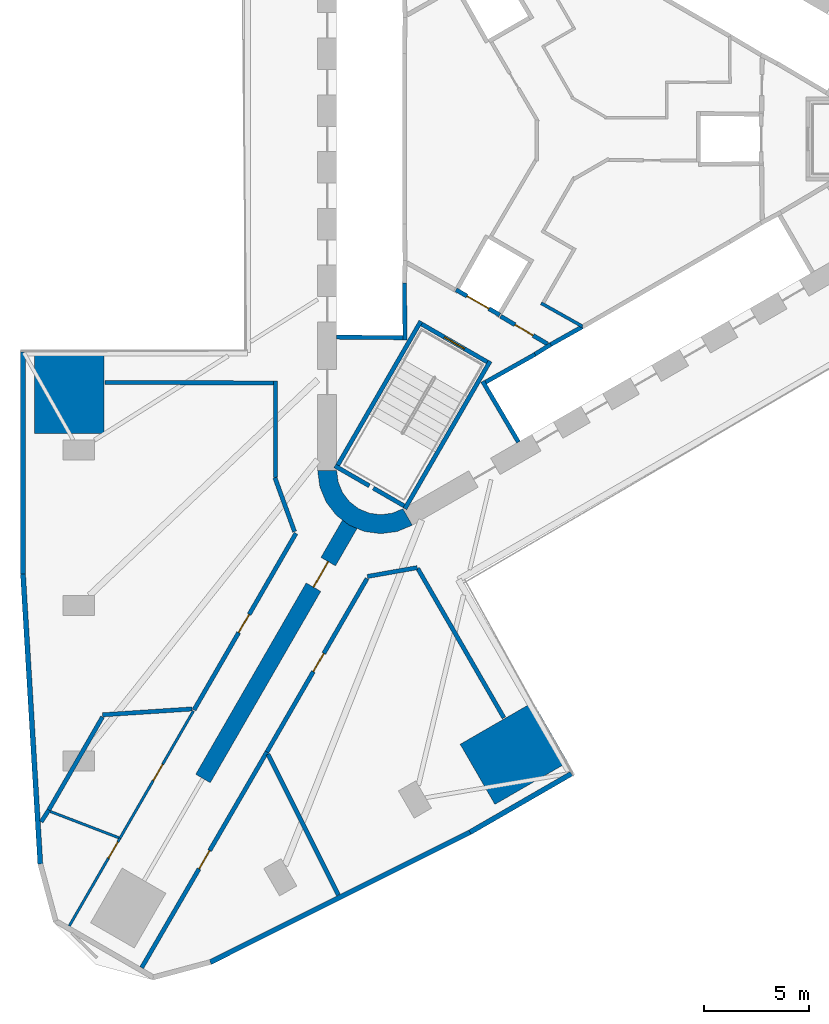
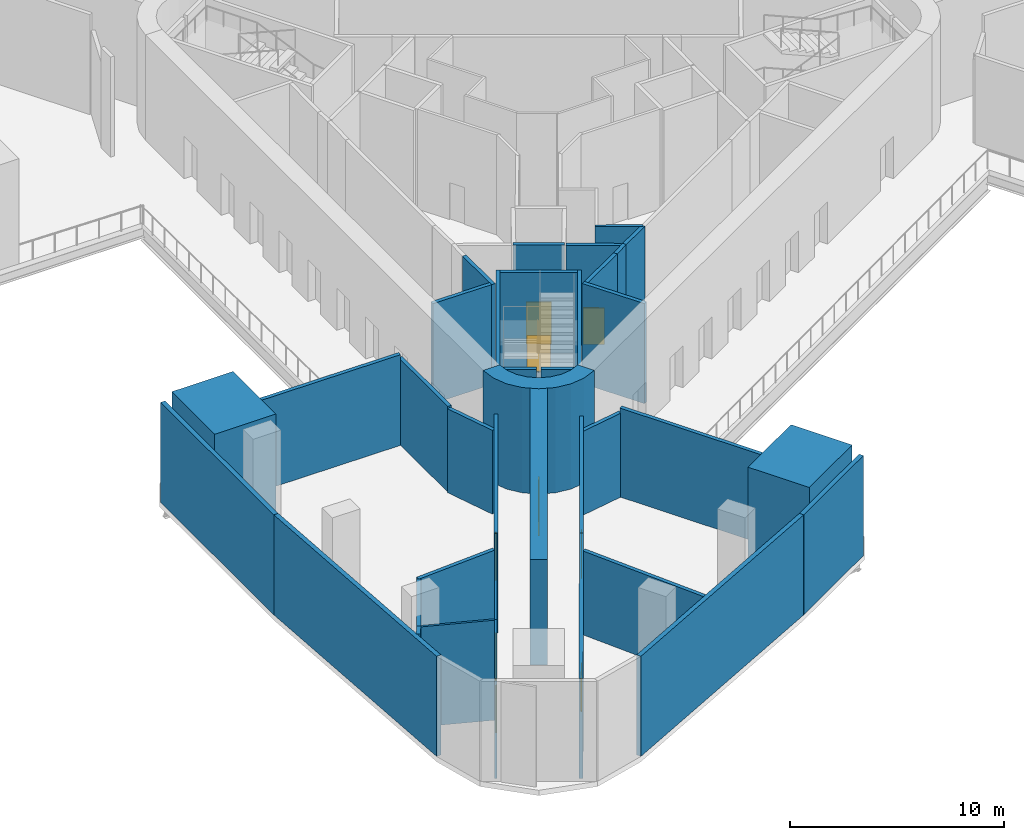
# One storey, part 3 of 11: 37 walls, 9 doors, 9 openings.
"""IFC4 building model written with IfcOpenShell, lengths in metres."""

from ifc_helpers import new_model, si_unit, direction, frame, frame_2d, origin, place, context, subcontext, project, spatial, polyline, rectangle, outline, extrude, material, layer, layer_set, type_object, element, fill, save


model = new_model("IFC4")

# Units and contexts
model_context = context("Model", 3, precision=1e-05, world=origin(), true_north=direction((0.0, 1.0)))
body_context = subcontext(model_context, "Body", "Model", "MODEL_VIEW")
ifc_project = project(units=[si_unit("LENGTHUNIT", "METRE"), si_unit("AREAUNIT", "SQUARE_METRE"), si_unit("VOLUMEUNIT", "CUBIC_METRE"), si_unit("PLANEANGLEUNIT", "RADIAN"), si_unit("MASSUNIT", "GRAM", prefix="KILO")], contexts=[model_context])

# Site, building, storey
site_placement = place(None, origin())
site = spatial("IfcSite", under=ifc_project, at=site_placement, CompositionType="ELEMENT")
building_placement = place(site_placement, origin())
building = spatial("IfcBuilding", under=site, at=building_placement, Name="Tanit Gate Tower", CompositionType="ELEMENT")
storey_placement = place(building_placement, frame((0.0, 0.0, 21.5)))
storey = spatial("IfcBuildingStorey", under=building, at=storey_placement, Name="L03", CompositionType="ELEMENT", Elevation=21.5)

# Wall, opening, door
ifc_material_1 = material(Name="Concrete C60/75", Category="concrete")
ifc_layer_1 = layer(ifc_material_1, 0.800048828125)
ifc_layer_set_1 = layer_set([ifc_layer_1], Name="BUTTRESS FIN 800 C60/75")
wall_type_1 = type_object("IfcWallType", Name="BUTTRESS FIN 800 C60/75", PredefinedType="SHEAR", material=ifc_layer_set_1)
wall_1_placement = place(storey_placement, frame((-10.574951171875, -18.31640625, 0.0), z_axis=(0.0, 0.0, 1.0), x_axis=(-0.499996575515, -0.866027380903, 0.0)))
wall_1 = element("IfcWall", 1, at=wall_1_placement, inside=storey, type_object=wall_type_1, Name="BUTTRESS FIN", PredefinedType="SHEAR", context=body_context, shape_type="SweptSolid", body=[
    extrude(rectangle(XDim=13.9541015625, YDim=0.800048828125, at=frame_2d((6.97705078125, 0.0))), origin(), (0.0, 0.0, 1.0), 6.0),
])
opening_1_placement = place(wall_1_placement, frame((2.050048828125, 0.0, 0.0)))
opening_1 = element("IfcOpeningElement", 2, at=opening_1_placement, cuts=wall_1, Name="Opening P14-03-F-SW-1", PredefinedType="OPENING", context=body_context, shape_type="SweptSolid", body=[
    extrude(rectangle(XDim=1.39990234375, YDim=2.39990234375, at=frame_2d((0.699951171875, 1.199951171875))), frame((0.0, 0.41015625, 0.0), z_axis=(0.0, -1.0, 0.0), x_axis=(1.0, 0.0, 0.0)), (0.0, 0.0, 1.0), 0.820068359375),
])
ifc_material_2 = material(Name="Timber door leaf", Category="wood")
door_type_1 = type_object("IfcDoorType", Name="INT-DOOR-FIN-PAIR-1400", OperationType="NOTDEFINED", PredefinedType="NOTDEFINED", material=ifc_material_2)
door_1_placement = place(opening_1_placement, origin())
door_1 = element("IfcDoor", 3, at=door_1_placement, inside=storey, type_object=door_type_1, Name="Door P14-03-F-SW-1", OperationType="DOUBLE_DOOR_SINGLE_SWING", OverallHeight=2.39990234375, OverallWidth=1.39990234375, PredefinedType="NOTDEFINED", context=body_context, shape_type="SweptSolid", body=[
    extrude(rectangle(XDim=1.39990234375, YDim=2.39990234375, at=frame_2d((0.699951171875, 1.199951171875))), frame((0.0, 0.02490234375, 0.0), z_axis=(0.0, -1.0, 0.0), x_axis=(1.0, 0.0, 0.0)), (0.0, 0.0, 1.0), 0.050048828125),
])
fill(opening_1, door_1)

# Walls
ifc_material_3 = material(Name="Concrete C60/75", Category="concrete")
ifc_layer_2 = layer(ifc_material_3, 0.89990234375)
ifc_layer_set_2 = layer_set([ifc_layer_2], Name="CORE WALL 900 C60/75")
wall_type_2 = type_object("IfcWallType", Name="CORE WALL 900 C60/75", PredefinedType="SHEAR", material=ifc_layer_set_2)
wall_2_placement = place(storey_placement, origin())
element("IfcWall", 4, at=wall_2_placement, inside=storey, type_object=wall_type_2, Name="CORE WALL CORNER", PredefinedType="SHEAR", context=body_context, shape_type="SweptSolid", body=[
    extrude(outline(polyline([(-12.10009765625, -15.76171875), (-11.997802734375, -16.5380859375), (-11.697998046875, -17.26171875), (-11.22119140625, -17.883056640625), (-10.60009765625, -18.359619140625), (-9.87646484375, -18.659423828125), (-9.10009765625, -18.76171875), (-8.323486328125, -18.659423828125), (-7.60009765625, -18.359619140625), (-8.050048828125, -17.580322265625), (-8.556396484375, -17.7900390625), (-9.10009765625, -17.86181640625), (-9.6435546875, -17.7900390625), (-10.14990234375, -17.580322265625), (-10.5849609375, -17.24658203125), (-10.918701171875, -16.811767578125), (-11.12841796875, -16.30517578125), (-11.199951171875, -15.76171875), (-12.10009765625, -15.76171875)])), origin(), (0.0, 0.0, 1.0), 6.0),
])
ifc_material_4 = material(Name="Concrete C30/37 with bronze anodised aluminium cladding", Category="concrete")
ifc_layer_3 = layer(ifc_material_4, 0.239990234375)
ifc_layer_set_3 = layer_set([ifc_layer_3], Name="Facade wall bronze clad 240")
wall_type_3 = type_object("IfcWallType", Name="Facade wall bronze clad 240", PredefinedType="SOLIDWALL", material=ifc_layer_set_3)
wall_3_placement = place(storey_placement, frame((-26.107666015625, -10.119384765625, 0.0), z_axis=(0.0, 0.0, 1.0), x_axis=(6.9319284e-05, -0.999999997597, 0.0)))
element("IfcWall", 5, at=wall_3_placement, inside=storey, type_object=wall_type_3, Name="Bronze-clad facade wall L03 W2b", PredefinedType="SOLIDWALL", context=body_context, shape_type="SweptSolid", body=[
    extrude(rectangle(XDim=10.56591796875, YDim=0.239990234375, at=frame_2d((5.282958984375, 0.0))), origin(), (0.0, 0.0, 1.0), 5.699951171875),
])
wall_4_placement = place(storey_placement, frame((-26.10693359375, -20.685302734375, 0.0), z_axis=(0.0, 0.0, 1.0), x_axis=(0.059596169304, -0.998222568671, 0.0)))
element("IfcWall", 6, at=wall_4_placement, inside=storey, type_object=wall_type_3, Name="Bronze-clad facade wall L03 W3", PredefinedType="SOLIDWALL", context=body_context, shape_type="SweptSolid", body=[
    extrude(rectangle(XDim=13.80126953125, YDim=0.239990234375, at=frame_2d((6.900634765625, 0.0))), origin(), (0.0, 0.0, 1.0), 5.699951171875),
])
wall_5_placement = place(storey_placement, frame((-17.202880859375, -39.1279296875, 0.0), z_axis=(0.0, 0.0, 1.0), x_axis=(0.894377655106, 0.447312653573, 0.0)))
element("IfcWall", 7, at=wall_5_placement, inside=storey, type_object=wall_type_3, Name="Bronze-clad facade wall L03 SE1", PredefinedType="SOLIDWALL", context=body_context, shape_type="SweptSolid", body=[
    extrude(rectangle(XDim=13.801513671875, YDim=0.239990234375, at=frame_2d((6.90087890625, 0.0))), origin(), (0.0, 0.0, 1.0), 5.699951171875),
])
wall_6_placement = place(storey_placement, frame((-4.859130859375, -32.954345703125, 0.0), z_axis=(0.0, 0.0, 1.0), x_axis=(0.865999312459, 0.500045188778, 0.0)))
element("IfcWall", 8, at=wall_6_placement, inside=storey, type_object=wall_type_3, Name="Bronze-clad facade wall L03 SE2a", PredefinedType="SOLIDWALL", context=body_context, shape_type="SweptSolid", body=[
    extrude(rectangle(XDim=5.56591796875, YDim=0.239990234375, at=frame_2d((2.782958984375, 0.0))), origin(), (0.0, 0.0, 1.0), 5.699951171875),
])

# Wall, opening, door
ifc_material_5 = material(Name="Fire-rated gypsum board partition")
ifc_layer_4 = layer(ifc_material_5, 0.199951171875)
ifc_layer_set_4 = layer_set([ifc_layer_4], Name="INT-WALL-COMPARTMENT")
wall_type_4 = type_object("IfcWallType", Name="INT-WALL-COMPARTMENT", PredefinedType="PARTITIONING", material=ifc_layer_set_4)
wall_7_placement = place(storey_placement, frame((-3.400634765625, -8.43017578125, 0.0), z_axis=(0.0, 0.0, 1.0), x_axis=(0.860598681535, -0.509283721849, 0.0)))
wall_7 = element("IfcWall", 9, at=wall_7_placement, inside=storey, type_object=wall_type_4, Name="Wall Compartment W067", PredefinedType="PARTITIONING", context=body_context, shape_type="SweptSolid", body=[
    extrude(rectangle(XDim=2.5810546875, YDim=0.199951171875, at=frame_2d((1.29052734375, 0.0))), origin(), (0.0, 0.0, 1.0), 5.699951171875),
])
opening_2_placement = place(wall_7_placement, frame((0.79052734375, 0.0, 0.0)))
opening_2 = element("IfcOpeningElement", 10, at=opening_2_placement, cuts=wall_7, Name="Opening F10-03-08", PredefinedType="OPENING", context=body_context, shape_type="SweptSolid", body=[
    extrude(rectangle(XDim=1.0, YDim=2.10009765625, at=frame_2d((0.5, 1.050048828125))), frame((0.0, 0.10986328125, 0.0), z_axis=(0.0, -1.0, 0.0), x_axis=(1.0, 0.0, 0.0)), (0.0, 0.0, 1.0), 0.219970703125),
])
ifc_material_6 = material(Name="Fire-rated steel door leaf", Category="steel")
door_type_2 = type_object("IfcDoorType", Name="INT-DOOR-FIRE-1000", OperationType="NOTDEFINED", PredefinedType="USERDEFINED", material=ifc_material_6)
door_2_placement = place(opening_2_placement, origin())
door_2 = element("IfcDoor", 11, at=door_2_placement, inside=storey, type_object=door_type_2, Name="Door F10-03-08", ObjectType="FIRE DOOR", OperationType="SINGLE_SWING_LEFT", OverallHeight=2.10009765625, OverallWidth=1.0, PredefinedType="USERDEFINED", context=body_context, shape_type="SweptSolid", body=[
    extrude(rectangle(XDim=1.0, YDim=2.10009765625, at=frame_2d((0.5, 1.050048828125))), frame((0.0, 0.02490234375, 0.0), z_axis=(0.0, -1.0, 0.0), x_axis=(1.0, 0.0, 0.0)), (0.0, 0.0, 1.0), 0.050048828125),
])
fill(opening_2, door_2)

# Wall
wall_8_placement = place(storey_placement, frame((-14.10009765625, -11.50146484375, 0.0), z_axis=(0.0, 0.0, 1.0), x_axis=(0.0, -1.0, 0.0)))
element("IfcWall", 12, at=wall_8_placement, inside=storey, type_object=wall_type_4, Name="Wall Compartment W091", PredefinedType="PARTITIONING", context=body_context, shape_type="SweptSolid", body=[
    extrude(rectangle(XDim=4.59228515625, YDim=0.199951171875, at=frame_2d((2.296142578125, 0.0))), origin(), (0.0, 0.0, 1.0), 4.8798828125),
])

# Wall, opening, door
wall_9_placement = place(storey_placement, frame((-17.98046875, -27.14306640625, 0.0), z_axis=(0.0, 0.0, 1.0), x_axis=(0.499987665054, 0.866032525252, 0.0)))
wall_9 = element("IfcWall", 13, at=wall_9_placement, inside=storey, type_object=wall_type_4, Name="Wall Compartment W089", PredefinedType="PARTITIONING", context=body_context, shape_type="SweptSolid", body=[
    extrude(rectangle(XDim=9.695068359375, YDim=0.199951171875, at=frame_2d((4.84765625, 0.0))), origin(), (0.0, 0.0, 1.0), 5.699951171875),
])
opening_3_placement = place(wall_9_placement, frame((4.248779296875, 0.0, 0.0)))
opening_3 = element("IfcOpeningElement", 14, at=opening_3_placement, cuts=wall_9, Name="Opening F10-03-15", PredefinedType="OPENING", context=body_context, shape_type="SweptSolid", body=[
    extrude(rectangle(XDim=1.0, YDim=2.10009765625, at=frame_2d((0.5, 1.050048828125))), frame((0.0, 0.10986328125, 0.0), z_axis=(0.0, -1.0, 0.0), x_axis=(1.0, 0.0, 0.0)), (0.0, 0.0, 1.0), 0.219970703125),
])
door_3_placement = place(opening_3_placement, origin())
door_3 = element("IfcDoor", 15, at=door_3_placement, inside=storey, type_object=door_type_2, Name="Door F10-03-15", ObjectType="FIRE DOOR", OperationType="SINGLE_SWING_RIGHT", OverallHeight=2.10009765625, OverallWidth=1.0, PredefinedType="USERDEFINED", context=body_context, shape_type="SweptSolid", body=[
    extrude(rectangle(XDim=1.0, YDim=2.10009765625, at=frame_2d((0.5, 1.050048828125))), frame((0.0, 0.02490234375, 0.0), z_axis=(0.0, -1.0, 0.0), x_axis=(1.0, 0.0, 0.0)), (0.0, 0.0, 1.0), 0.050048828125),
])
fill(opening_3, door_3)

# Walls
wall_10_placement = place(storey_placement, frame((-14.13427734375, -16.099609375, 0.0), z_axis=(0.0, 0.0, 1.0), x_axis=(0.341951326322, -0.939717665273, 0.0)))
element("IfcWall", 16, at=wall_10_placement, inside=storey, type_object=wall_type_4, Name="Wall Compartment W090", PredefinedType="PARTITIONING", context=body_context, shape_type="SweptSolid", body=[
    extrude(rectangle(XDim=2.7294921875, YDim=0.199951171875, at=frame_2d((1.36474609375, 0.0))), origin(), (0.0, 0.0, 1.0), 4.780029296875),
])
wall_11_placement = place(storey_placement, frame((-22.203369140625, -11.570068359375, 0.0), z_axis=(0.0, 0.0, 1.0), x_axis=(0.999992495389, -0.003874166344, 0.0)))
element("IfcWall", 17, at=wall_11_placement, inside=storey, type_object=wall_type_4, Name="Wall Compartment W092", PredefinedType="PARTITIONING", context=body_context, shape_type="SweptSolid", body=[
    extrude(rectangle(XDim=8.003173828125, YDim=0.199951171875, at=frame_2d((4.00146484375, 0.0))), origin(), (0.0, 0.0, 1.0), 5.169921875),
])
wall_12_placement = place(storey_placement, frame((-22.3212890625, -27.37255859375, 0.0), z_axis=(0.0, 0.0, 1.0), x_axis=(0.997859032733, 0.065401458642, 0.0)))
element("IfcWall", 18, at=wall_12_placement, inside=storey, type_object=wall_type_4, Name="Wall Compartment W096", PredefinedType="PARTITIONING", context=body_context, shape_type="SweptSolid", body=[
    extrude(rectangle(XDim=4.262939453125, YDim=0.199951171875, at=frame_2d((2.13134765625, 0.0))), origin(), (0.0, 0.0, 1.0), 4.780029296875),
])
wall_13_placement = place(storey_placement, frame((-24.932373046875, -31.984130859375, 0.0), z_axis=(0.0, 0.0, 1.0), x_axis=(0.500010513267, 0.866019333862, 0.0)))
element("IfcWall", 19, at=wall_13_placement, inside=storey, type_object=wall_type_4, Name="Wall Compartment W097", PredefinedType="PARTITIONING", context=body_context, shape_type="SweptSolid", body=[
    extrude(rectangle(XDim=5.208984375, YDim=0.199951171875, at=frame_2d((2.6044921875, 0.0))), origin(), (0.0, 0.0, 1.0), 4.780029296875),
])
wall_14_placement = place(storey_placement, frame((-25.24072265625, -32.458251953125, 0.0), z_axis=(0.0, 0.0, 1.0), x_axis=(0.540924282728, 0.841071293266, 0.0)))
element("IfcWall", 20, at=wall_14_placement, inside=storey, type_object=wall_type_4, Name="Wall Compartment W098", PredefinedType="PARTITIONING", context=body_context, shape_type="SweptSolid", body=[
    extrude(rectangle(XDim=0.666259765625, YDim=0.199951171875, at=frame_2d((0.3330078125, 0.0))), origin(), (0.0, 0.0, 1.0), 5.699951171875),
])

# Wall, opening, door
wall_15_placement = place(storey_placement, frame((-14.51416015625, -29.138916015625, 0.0), z_axis=(0.0, 0.0, 1.0), x_axis=(-0.502061989067, -0.864831636294, 0.0)))
wall_15 = element("IfcWall", 21, at=wall_15_placement, inside=storey, type_object=wall_type_4, Name="Wall Compartment W112", PredefinedType="PARTITIONING", context=body_context, shape_type="SweptSolid", body=[
    extrude(rectangle(XDim=11.85546875, YDim=0.199951171875, at=frame_2d((5.927734375, 0.0))), origin(), (0.0, 0.0, 1.0), 5.699951171875),
])
opening_4_placement = place(wall_15_placement, frame((5.42138671875, 0.0, 0.0)))
opening_4 = element("IfcOpeningElement", 22, at=opening_4_placement, cuts=wall_15, Name="Opening F10-03-21", PredefinedType="OPENING", context=body_context, shape_type="SweptSolid", body=[
    extrude(rectangle(XDim=1.0, YDim=2.10009765625, at=frame_2d((0.5, 1.050048828125))), frame((0.0, 0.10986328125, 0.0), z_axis=(0.0, -1.0, 0.0), x_axis=(1.0, 0.0, 0.0)), (0.0, 0.0, 1.0), 0.219970703125),
])
door_4_placement = place(opening_4_placement, origin())
door_4 = element("IfcDoor", 23, at=door_4_placement, inside=storey, type_object=door_type_2, Name="Door F10-03-21", ObjectType="FIRE DOOR", OperationType="SINGLE_SWING_RIGHT", OverallHeight=2.10009765625, OverallWidth=1.0, PredefinedType="USERDEFINED", context=body_context, shape_type="SweptSolid", body=[
    extrude(rectangle(XDim=1.0, YDim=2.10009765625, at=frame_2d((0.5, 1.050048828125))), frame((0.0, 0.02490234375, 0.0), z_axis=(0.0, -1.0, 0.0), x_axis=(1.0, 0.0, 0.0)), (0.0, 0.0, 1.0), 0.050048828125),
])
fill(opening_4, door_4)

# Wall
wall_16_placement = place(storey_placement, frame((-9.738037109375, -20.795654296875, 0.0), z_axis=(0.0, 0.0, 1.0), x_axis=(0.984780494406, 0.173802698013, 0.0)))
element("IfcWall", 24, at=wall_16_placement, inside=storey, type_object=wall_type_4, Name="Wall Compartment W113", PredefinedType="PARTITIONING", context=body_context, shape_type="SweptSolid", body=[
    extrude(rectangle(XDim=2.40625, YDim=0.199951171875, at=frame_2d((1.203125, 0.0))), origin(), (0.0, 0.0, 1.0), 4.780029296875),
])

# Wall, opening, door
wall_17_placement = place(storey_placement, frame((-9.757568359375, -20.900634765625, 0.0), z_axis=(0.0, 0.0, 1.0), x_axis=(-0.499997931106, -0.866026598257, 0.0)))
wall_17 = element("IfcWall", 25, at=wall_17_placement, inside=storey, type_object=wall_type_4, Name="Wall Compartment W114", PredefinedType="PARTITIONING", context=body_context, shape_type="SweptSolid", body=[
    extrude(rectangle(XDim=9.5126953125, YDim=0.199951171875, at=frame_2d((4.75634765625, 0.0))), origin(), (0.0, 0.0, 1.0), 5.699951171875),
])
opening_5_placement = place(wall_17_placement, frame((4.099609375, 0.0, 0.0)))
opening_5 = element("IfcOpeningElement", 26, at=opening_5_placement, cuts=wall_17, Name="Opening F10-03-22", PredefinedType="OPENING", context=body_context, shape_type="SweptSolid", body=[
    extrude(rectangle(XDim=1.0, YDim=2.10009765625, at=frame_2d((0.5, 1.050048828125))), frame((0.0, 0.10986328125, 0.0), z_axis=(0.0, -1.0, 0.0), x_axis=(1.0, 0.0, 0.0)), (0.0, 0.0, 1.0), 0.219970703125),
])
door_5_placement = place(opening_5_placement, origin())
door_5 = element("IfcDoor", 27, at=door_5_placement, inside=storey, type_object=door_type_2, Name="Door F10-03-22", ObjectType="FIRE DOOR", OperationType="SINGLE_SWING_LEFT", OverallHeight=2.10009765625, OverallWidth=1.0, PredefinedType="USERDEFINED", context=body_context, shape_type="SweptSolid", body=[
    extrude(rectangle(XDim=1.0, YDim=2.10009765625, at=frame_2d((0.5, 1.050048828125))), frame((0.0, 0.02490234375, 0.0), z_axis=(0.0, -1.0, 0.0), x_axis=(1.0, 0.0, 0.0)), (0.0, 0.0, 1.0), 0.050048828125),
])
fill(opening_5, door_5)

# Walls
wall_18_placement = place(storey_placement, frame((-7.35009765625, -20.409423828125, 0.0), z_axis=(0.0, 0.0, 1.0), x_axis=(0.500015278874, -0.866016582343, 0.0)))
element("IfcWall", 28, at=wall_18_placement, inside=storey, type_object=wall_type_4, Name="Wall Compartment W115", PredefinedType="PARTITIONING", context=body_context, shape_type="SweptSolid", body=[
    extrude(rectangle(XDim=8.203369140625, YDim=0.199951171875, at=frame_2d((4.1015625, 0.0))), origin(), (0.0, 0.0, 1.0), 5.070068359375),
])
wall_19_placement = place(storey_placement, frame((-14.4619140625, -29.248291015625, 0.0), z_axis=(0.0, 0.0, 1.0), x_axis=(0.447304919826, -0.894381523009, 0.0)))
element("IfcWall", 29, at=wall_19_placement, inside=storey, type_object=wall_type_4, Name="Wall Compartment W120", PredefinedType="PARTITIONING", context=body_context, shape_type="SweptSolid", body=[
    extrude(rectangle(XDim=7.485107421875, YDim=0.199951171875, at=frame_2d((3.74267578125, 0.0))), origin(), (0.0, 0.0, 1.0), 4.780029296875),
])

# Wall, opening, door
ifc_material_7 = material(Name="Gypsum board partition")
ifc_layer_5 = layer(ifc_material_7, 0.1201171875)
ifc_layer_set_5 = layer_set([ifc_layer_5], Name="INT-WALL-PARTITION")
wall_type_5 = type_object("IfcWallType", Name="INT-WALL-PARTITION", PredefinedType="PARTITIONING", material=ifc_layer_set_5)
wall_20_placement = place(storey_placement, frame((-23.90576171875, -37.406005859375, 0.0), z_axis=(0.0, 0.0, 1.0), x_axis=(0.500013369766, 0.866017684609, 0.0)))
wall_20 = element("IfcWall", 30, at=wall_20_placement, inside=storey, type_object=wall_type_5, Name="Wall Partition W095", PredefinedType="PARTITIONING", context=body_context, shape_type="SweptSolid", body=[
    extrude(rectangle(XDim=4.818603515625, YDim=0.1201171875, at=frame_2d((2.4091796875, 0.0))), origin(), (0.0, 0.0, 1.0), 5.699951171875),
])
opening_6_placement = place(wall_20_placement, frame((3.713623046875, 0.0, 0.0)))
opening_6 = element("IfcOpeningElement", 31, at=opening_6_placement, cuts=wall_20, Name="Opening D09-03-25", PredefinedType="OPENING", context=body_context, shape_type="SweptSolid", body=[
    extrude(rectangle(XDim=0.89990234375, YDim=2.10009765625, at=frame_2d((0.449951171875, 1.050048828125))), frame((0.0, 0.070068359375, 0.0), z_axis=(0.0, -1.0, 0.0), x_axis=(1.0, 0.0, 0.0)), (0.0, 0.0, 1.0), 0.14013671875),
])
ifc_material_8 = material(Name="Timber door leaf", Category="wood")
door_type_3 = type_object("IfcDoorType", Name="INT-DOOR-SINGLE-900", OperationType="NOTDEFINED", PredefinedType="NOTDEFINED", material=ifc_material_8)
door_6_placement = place(opening_6_placement, origin())
door_6 = element("IfcDoor", 32, at=door_6_placement, inside=storey, type_object=door_type_3, Name="Door D09-03-25", OperationType="SINGLE_SWING_LEFT", OverallHeight=2.10009765625, OverallWidth=0.89990234375, PredefinedType="NOTDEFINED", context=body_context, shape_type="SweptSolid", body=[
    extrude(rectangle(XDim=0.89990234375, YDim=2.10009765625, at=frame_2d((0.449951171875, 1.050048828125))), frame((0.0, 0.02490234375, 0.0), z_axis=(0.0, -1.0, 0.0), x_axis=(1.0, 0.0, 0.0)), (0.0, 0.0, 1.0), 0.050048828125),
])
fill(opening_6, door_6)

wall_21_placement = place(storey_placement, frame((-21.496337890625, -33.23291015625, 0.0), z_axis=(0.0, 0.0, 1.0), x_axis=(0.500000091514, 0.866025350949, 0.0)))
wall_21 = element("IfcWall", 33, at=wall_21_placement, inside=storey, type_object=wall_type_5, Name="Wall Partition W093", PredefinedType="PARTITIONING", context=body_context, shape_type="SweptSolid", body=[
    extrude(rectangle(XDim=6.9775390625, YDim=0.1201171875, at=frame_2d((3.48876953125, 0.0))), origin(), (0.0, 0.0, 1.0), 5.699951171875),
])
opening_7_placement = place(wall_21_placement, frame((3.148193359375, 0.0, 0.0)))
opening_7 = element("IfcOpeningElement", 34, at=opening_7_placement, cuts=wall_21, Name="Opening D09-03-16", PredefinedType="OPENING", context=body_context, shape_type="SweptSolid", body=[
    extrude(rectangle(XDim=0.89990234375, YDim=2.10009765625, at=frame_2d((0.449951171875, 1.050048828125))), frame((0.0, 0.070068359375, 0.0), z_axis=(0.0, -1.0, 0.0), x_axis=(1.0, 0.0, 0.0)), (0.0, 0.0, 1.0), 0.14013671875),
])
door_7_placement = place(opening_7_placement, origin())
door_7 = element("IfcDoor", 35, at=door_7_placement, inside=storey, type_object=door_type_3, Name="Door D09-03-16", OperationType="SINGLE_SWING_RIGHT", OverallHeight=2.10009765625, OverallWidth=0.89990234375, PredefinedType="NOTDEFINED", context=body_context, shape_type="SweptSolid", body=[
    extrude(rectangle(XDim=0.89990234375, YDim=2.10009765625, at=frame_2d((0.449951171875, 1.050048828125))), frame((0.0, 0.02490234375, 0.0), z_axis=(0.0, -1.0, 0.0), x_axis=(1.0, 0.0, 0.0)), (0.0, 0.0, 1.0), 0.050048828125),
])
fill(opening_7, door_7)

# Walls
wall_22_placement = place(storey_placement, frame((-24.8076171875, -31.96826171875, 0.0), z_axis=(0.0, 0.0, 1.0), x_axis=(0.933675816779, -0.358119350445, 0.0)))
element("IfcWall", 36, at=wall_22_placement, inside=storey, type_object=wall_type_5, Name="Wall Partition W099", PredefinedType="PARTITIONING", context=body_context, shape_type="SweptSolid", body=[
    extrude(rectangle(XDim=3.48291015625, YDim=0.1201171875, at=frame_2d((1.741455078125, 0.0))), origin(), (0.0, 0.0, 1.0), 5.699951171875),
])
ifc_material_9 = material(Name="Fire-rated gypsum board partition")
ifc_layer_6 = layer(ifc_material_9, 0.14990234375)
ifc_layer_set_6 = layer_set([ifc_layer_6], Name="INT-WALL-RISER")
wall_type_6 = type_object("IfcWallType", Name="INT-WALL-RISER", PredefinedType="PLUMBINGWALL", material=ifc_layer_set_6)
wall_23_placement = place(storey_placement, frame((-1.47705078125, -7.808349609375, 0.0), z_axis=(0.0, 0.0, 1.0), x_axis=(0.871822901869, -0.48982122022, 0.0)))
element("IfcWall", 37, at=wall_23_placement, inside=storey, type_object=wall_type_6, Name="Wall Riser W071", PredefinedType="PLUMBINGWALL", context=body_context, shape_type="SweptSolid", body=[
    extrude(rectangle(XDim=2.239501953125, YDim=0.14990234375, at=frame_2d((1.11962890625, 0.0))), origin(), (0.0, 0.0, 1.0), 5.699951171875),
])
ifc_material_10 = material(Name="Gypsum shaft wall system")
ifc_layer_7 = layer(ifc_material_10, 0.199951171875)
ifc_layer_set_7 = layer_set([ifc_layer_7], Name="INT-WALL-SHAFT")
wall_type_7 = type_object("IfcWallType", Name="INT-WALL-SHAFT", PredefinedType="PLUMBINGWALL", material=ifc_layer_set_7)
wall_24_placement = place(storey_placement, frame((-7.97900390625, -6.85009765625, 0.0), z_axis=(0.0, 0.0, 1.0), x_axis=(0.011121475088, -0.999938154483, 0.0)))
element("IfcWall", 38, at=wall_24_placement, inside=storey, type_object=wall_type_7, Name="Wall Shaft W011", PredefinedType="PLUMBINGWALL", context=body_context, shape_type="SweptSolid", body=[
    extrude(rectangle(XDim=2.7001953125, YDim=0.199951171875, at=frame_2d((1.35009765625, 0.0))), origin(), (0.0, 0.0, 1.0), 5.699951171875),
])
wall_25_placement = place(storey_placement, frame((-8.050048828125, -9.448974609375, 0.0), z_axis=(0.0, 0.0, 1.0), x_axis=(-0.999957467379, 0.009222983926, 0.0)))
element("IfcWall", 39, at=wall_25_placement, inside=storey, type_object=wall_type_7, Name="Wall Shaft W012", PredefinedType="PLUMBINGWALL", context=body_context, shape_type="SweptSolid", body=[
    extrude(rectangle(XDim=3.150146484375, YDim=0.199951171875, at=frame_2d((1.5751953125, 0.0))), origin(), (0.0, 0.0, 1.0), 5.699951171875),
])
wall_26_placement = place(storey_placement, frame((-2.557861328125, -14.409423828125, 0.0), z_axis=(0.0, 0.0, 1.0), x_axis=(-0.507997497166, 0.861358544901, 0.0)))
element("IfcWall", 40, at=wall_26_placement, inside=storey, type_object=wall_type_7, Name="Wall Shaft W027", PredefinedType="PLUMBINGWALL", context=body_context, shape_type="SweptSolid", body=[
    extrude(rectangle(XDim=3.350341796875, YDim=0.199951171875, at=frame_2d((1.67529296875, 0.0))), origin(), (0.0, 0.0, 1.0), 5.699951171875),
])
wall_27_placement = place(storey_placement, frame((-1.7685546875, -10.23681640625, 0.0), z_axis=(0.0, 0.0, 1.0), x_axis=(-0.871534483978, -0.490334215854, 0.0)))
element("IfcWall", 41, at=wall_27_placement, inside=storey, type_object=wall_type_7, Name="Wall Shaft W028", PredefinedType="PLUMBINGWALL", context=body_context, shape_type="SweptSolid", body=[
    extrude(rectangle(XDim=2.7001953125, YDim=0.199951171875, at=frame_2d((1.35009765625, 0.0))), origin(), (0.0, 0.0, 1.0), 5.699951171875),
])
wall_28_placement = place(storey_placement, frame((-1.02392578125, -9.77099609375, 0.0), z_axis=(0.0, 0.0, 1.0), x_axis=(-0.850348075135, -0.526220629693, 0.0)))
element("IfcWall", 42, at=wall_28_placement, inside=storey, type_object=wall_type_7, Name="Wall Shaft W029", PredefinedType="PLUMBINGWALL", context=body_context, shape_type="SweptSolid", body=[
    extrude(rectangle(XDim=0.878173828125, YDim=0.199951171875, at=frame_2d((0.43896484375, 0.0))), origin(), (0.0, 0.0, 1.0), 5.699951171875),
])
wall_29_placement = place(storey_placement, frame((-1.13037109375, -9.83154296875, 0.0), z_axis=(0.0, 0.0, 1.0), x_axis=(0.871988740738, 0.489525929882, 0.0)))
element("IfcWall", 43, at=wall_29_placement, inside=storey, type_object=wall_type_7, Name="Wall Shaft W030", PredefinedType="PLUMBINGWALL", context=body_context, shape_type="SweptSolid", body=[
    extrude(rectangle(XDim=1.8447265625, YDim=0.199951171875, at=frame_2d((0.92236328125, 0.0))), origin(), (0.0, 0.0, 1.0), 5.699951171875),
])

# Wall, opening, door
wall_30_placement = place(storey_placement, frame((-3.44580078125, -8.3681640625, 0.0), z_axis=(0.0, 0.0, 1.0), x_axis=(-0.866024647952, 0.500001309137, 0.0)))
wall_30 = element("IfcWall", 44, at=wall_30_placement, inside=storey, type_object=wall_type_7, Name="Wall Shaft W056", PredefinedType="PLUMBINGWALL", context=body_context, shape_type="SweptSolid", body=[
    extrude(rectangle(XDim=2.39990234375, YDim=0.199951171875, at=frame_2d((1.199951171875, 0.0))), origin(), (0.0, 0.0, 1.0), 5.699951171875),
])
opening_8_placement = place(wall_30_placement, frame((0.60009765625, 0.0, 0.0)))
opening_8 = element("IfcOpeningElement", 45, at=opening_8_placement, cuts=wall_30, Name="Opening LDFL3-L03", PredefinedType="OPENING", context=body_context, shape_type="SweptSolid", body=[
    extrude(rectangle(XDim=1.199951171875, YDim=2.39990234375, at=frame_2d((0.60009765625, 1.199951171875))), frame((0.0, 0.10986328125, 0.0), z_axis=(0.0, -1.0, 0.0), x_axis=(1.0, 0.0, 0.0)), (0.0, 0.0, 1.0), 0.219970703125),
])
ifc_material_11 = material(Name="Stainless steel sliding door leaf", Category="steel")
door_type_4 = type_object("IfcDoorType", Name="INT-DOOR-LANDING-1200", OperationType="NOTDEFINED", PredefinedType="USERDEFINED", material=ifc_material_11)
door_8_placement = place(opening_8_placement, origin())
door_8 = element("IfcDoor", 46, at=door_8_placement, inside=storey, type_object=door_type_4, Name="Door LDFL3-L03", ObjectType="LANDING DOOR", OperationType="SLIDING_TO_LEFT", OverallHeight=2.39990234375, OverallWidth=1.199951171875, PredefinedType="USERDEFINED", context=body_context, shape_type="SweptSolid", body=[
    extrude(rectangle(XDim=1.199951171875, YDim=2.39990234375, at=frame_2d((0.60009765625, 1.199951171875))), frame((0.0, 0.02490234375, 0.0), z_axis=(0.0, -1.0, 0.0), x_axis=(1.0, 0.0, 0.0)), (0.0, 0.0, 1.0), 0.050048828125),
])
fill(opening_8, door_8)

# Walls
ifc_material_12 = material(Name="Concrete C40/50", Category="concrete")
ifc_layer_8 = layer(ifc_material_12, 0.199951171875)
ifc_layer_set_8 = layer_set([ifc_layer_8], Name="INT-WALL-STAIR")
wall_type_8 = type_object("IfcWallType", Name="INT-WALL-STAIR", PredefinedType="SHEAR", material=ifc_layer_set_8)
wall_31_placement = place(storey_placement, frame((-3.904541015625, -10.56298828125, -0.300048828125), z_axis=(0.0, 0.0, 1.0), x_axis=(-0.500012932018, -0.866017937352, 0.0)))
element("IfcWall", 47, at=wall_31_placement, inside=storey, type_object=wall_type_8, Name="Wall Stair W051", PredefinedType="SHEAR", context=body_context, shape_type="SweptSolid", body=[
    extrude(rectangle(XDim=8.099853515625, YDim=0.199951171875, at=frame_2d((4.0498046875, 0.0))), origin(), (0.0, 0.0, 1.0), 6.0),
])
wall_32_placement = place(storey_placement, frame((-11.281982421875, -15.541015625, -0.300048828125), z_axis=(0.0, 0.0, 1.0), x_axis=(0.866000578957, -0.500042995397, 0.0)))
element("IfcWall", 48, at=wall_32_placement, inside=storey, type_object=wall_type_8, Name="Wall Stair W053", PredefinedType="SHEAR", context=body_context, shape_type="SweptSolid", body=[
    extrude(rectangle(XDim=1.889892578125, YDim=0.199951171875, at=frame_2d((0.94482421875, 0.0))), origin(), (0.0, 0.0, 1.0), 6.0),
])
wall_33_placement = place(storey_placement, frame((-9.454833984375, -16.59619140625, -0.300048828125), z_axis=(0.0, 0.0, 1.0), x_axis=(0.866038843867, -0.499976720371, 0.0)))
element("IfcWall", 49, at=wall_33_placement, inside=storey, type_object=wall_type_8, Name="Wall Stair W052", PredefinedType="SHEAR", context=body_context, shape_type="SweptSolid", body=[
    extrude(rectangle(XDim=1.68994140625, YDim=0.199951171875, at=frame_2d((0.844970703125, 0.0))), origin(), (0.0, 0.0, 1.0), 6.0),
])
wall_34_placement = place(storey_placement, frame((-7.195556640625, -8.662841796875, -0.300048828125), z_axis=(0.0, 0.0, 1.0), x_axis=(-0.499997992926, -0.866026562566, 0.0)))
element("IfcWall", 50, at=wall_34_placement, inside=storey, type_object=wall_type_8, Name="Wall Stair W054", PredefinedType="SHEAR", context=body_context, shape_type="SweptSolid", body=[
    extrude(rectangle(XDim=7.89990234375, YDim=0.199951171875, at=frame_2d((3.949951171875, 0.0))), origin(), (0.0, 0.0, 1.0), 6.0),
])

# Wall, opening, door
wall_35_placement = place(storey_placement, frame((-4.041259765625, -10.599365234375, -0.300048828125), z_axis=(0.0, 0.0, 1.0), x_axis=(-0.866047807691, 0.499961193289, 0.0)))
wall_35 = element("IfcWall", 51, at=wall_35_placement, inside=storey, type_object=wall_type_8, Name="Wall Stair W055", PredefinedType="SHEAR", context=body_context, shape_type="SweptSolid", body=[
    extrude(rectangle(XDim=3.599853515625, YDim=0.199951171875, at=frame_2d((1.7998046875, 0.0))), origin(), (0.0, 0.0, 1.0), 6.0),
])
opening_9_placement = place(wall_35_placement, frame((1.25, 0.0, 0.300048828125)))
opening_9 = element("IfcOpeningElement", 52, at=opening_9_placement, cuts=wall_35, Name="Opening S11-03-07", PredefinedType="OPENING", context=body_context, shape_type="SweptSolid", body=[
    extrude(rectangle(XDim=1.10009765625, YDim=2.10009765625, at=frame_2d((0.550048828125, 1.050048828125))), frame((0.0, 0.10986328125, 0.0), z_axis=(0.0, -1.0, 0.0), x_axis=(1.0, 0.0, 0.0)), (0.0, 0.0, 1.0), 0.219970703125),
])
ifc_material_13 = material(Name="Timber door leaf", Category="wood")
door_type_5 = type_object("IfcDoorType", Name="INT-DOOR-STAIR-1100", OperationType="NOTDEFINED", PredefinedType="USERDEFINED", material=ifc_material_13)
door_9_placement = place(opening_9_placement, origin())
door_9 = element("IfcDoor", 53, at=door_9_placement, inside=storey, type_object=door_type_5, Name="Door S11-03-07", ObjectType="FIRE DOOR", OperationType="SINGLE_SWING_LEFT", OverallHeight=2.10009765625, OverallWidth=1.10009765625, PredefinedType="USERDEFINED", context=body_context, shape_type="SweptSolid", body=[
    extrude(rectangle(XDim=1.10009765625, YDim=2.10009765625, at=frame_2d((0.550048828125, 1.050048828125))), frame((0.0, 0.02490234375, 0.0), z_axis=(0.0, -1.0, 0.0), x_axis=(1.0, 0.0, 0.0)), (0.0, 0.0, 1.0), 0.050048828125),
])
fill(opening_9, door_9)

# Walls
ifc_material_14 = material(Name="Concrete C60/75", Category="concrete")
ifc_layer_9 = layer(ifc_material_14, 4.0)
ifc_layer_set_9 = layer_set([ifc_layer_9], Name="PIER WALL 4000 C60/75")
wall_type_9 = type_object("IfcWallType", Name="PIER WALL 4000 C60/75", PredefinedType="SHEAR", material=ifc_layer_set_9)
wall_36_placement = place(storey_placement, origin())
element("IfcWall", 54, at=wall_36_placement, inside=storey, type_object=wall_type_9, Name="PIER WALL", PredefinedType="SHEAR", context=body_context, shape_type="SweptSolid", body=[
    extrude(outline(polyline([(-3.677734375, -31.6298828125), (-0.213623046875, -29.6298828125), (-1.86376953125, -26.77197265625), (-5.327880859375, -28.77197265625), (-3.677734375, -31.6298828125)])), origin(), (0.0, 0.0, 1.0), 6.0),
])
wall_37_placement = place(storey_placement, origin())
element("IfcWall", 55, at=wall_37_placement, inside=storey, type_object=wall_type_9, Name="PIER WALL", PredefinedType="SHEAR", context=body_context, shape_type="SweptSolid", body=[
    extrude(outline(polyline([(-25.553466796875, -10.0), (-25.553466796875, -14.0), (-22.25341796875, -14.0), (-22.25341796875, -10.0), (-25.553466796875, -10.0)])), origin(), (0.0, 0.0, 1.0), 6.0),
])

save(model, "model.ifc")
